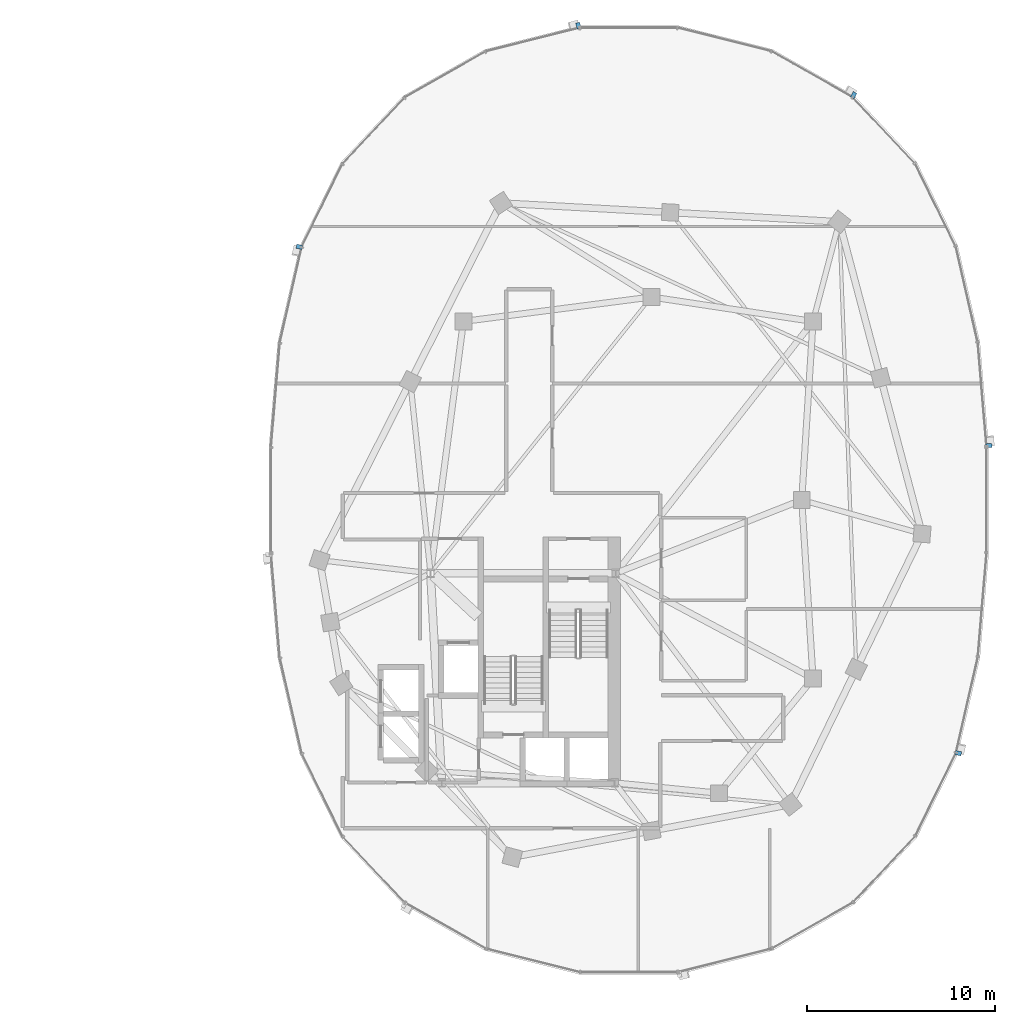
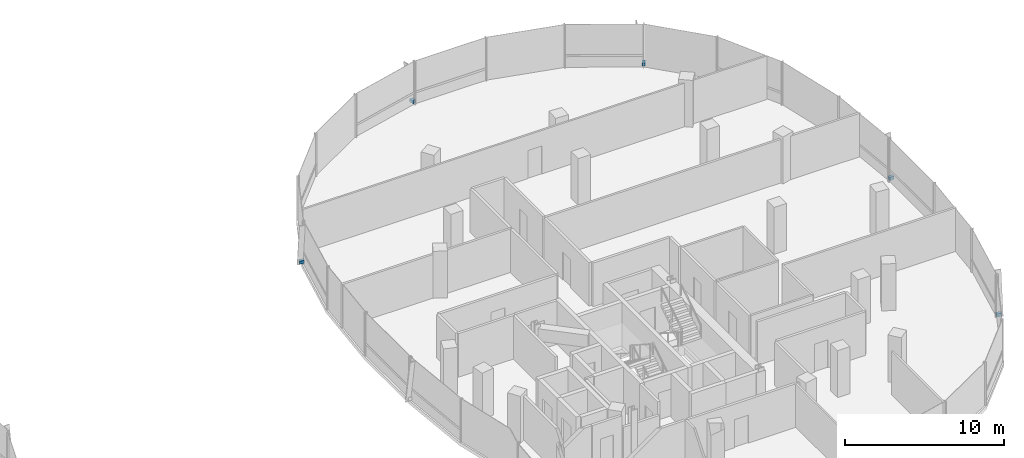
# One storey, part 20 of 25: 5 discrete accessories.
"""IFC4 building model written with IfcOpenShell, lengths in metres."""

from ifc_helpers import new_model, si_unit, direction, frame, origin, origin_2d, place, context, subcontext, project, spatial, rectangle, extrude, material, type_object, element, save


model = new_model("IFC4")

# Units and contexts
model_context = context("Model", 3, precision=1e-05, world=origin(), true_north=direction((0.0, 1.0)))
body_context = subcontext(model_context, "Body", "Model", "MODEL_VIEW")
ifc_project = project(units=[si_unit("LENGTHUNIT", "METRE"), si_unit("AREAUNIT", "SQUARE_METRE"), si_unit("VOLUMEUNIT", "CUBIC_METRE"), si_unit("PLANEANGLEUNIT", "RADIAN"), si_unit("MASSUNIT", "GRAM", prefix="KILO"), si_unit("THERMODYNAMICTEMPERATUREUNIT", "KELVIN"), si_unit("POWERUNIT", "WATT")], contexts=[model_context])

# Site, building, storey
site_placement = place(None, origin())
site = spatial("IfcSite", under=ifc_project, at=site_placement, CompositionType="ELEMENT")
building_placement = place(site_placement, origin())
building = spatial("IfcBuilding", under=site, at=building_placement, Name="Cundina Bronze Exchange", CompositionType="ELEMENT")
storey_placement = place(building_placement, frame((0.0, 0.0, 220.60009765625)))
storey = spatial("IfcBuildingStorey", under=building, at=storey_placement, Name="L58", CompositionType="ELEMENT", Elevation=220.60009765625)

# Discrete accessories
ifc_material = material(Name="Anodised Bronze Aluminium 6063-T6", Category="aluminium")
discrete_accessory_type = type_object("IfcDiscreteAccessoryType", Name="ACC-BRK-FIN", PredefinedType="BRACKET", material=ifc_material)
for number, where, z_axis, x_axis, name in (
    (1, (51.15478515625, 2.893798828125, 0.10009765625), (0.0, 0.0, 1.0), (-0.083747411454, 0.996487015006, 0.0), "L58 Fin Support Bracket 1"),
    (2, (43.961181640625, 21.539794921875, 0.10009765625), (0.0, 0.0, 1.0), (-0.869572506985, 0.493805280547, 0.0), "L58 Fin Support Bracket 5"),
    (3, (29.321044921875, 25.23779296875, 0.10009765625), (0.0, 0.0, 1.0), (-0.969731542251, -0.244173577528, 0.0), "L58 Fin Support Bracket 1"),
    (4, (14.470458984375, 13.468505859375, 0.10009765625), (0.0, 0.0, 1.0), (-0.223284141459, -0.974753400698, 0.0), "L58 Fin Support Bracket 5"),
    (5, (49.529541015625, -13.468505859375, 0.10009765625), (0.0, 0.0, 1.0), (0.223284141459, 0.974753400698, 0.0), "L58 Fin Support Bracket 5"),
):
    element("IfcDiscreteAccessory", number, at=place(storey_placement, frame(where, z_axis=z_axis, x_axis=x_axis)), inside=storey, type_object=discrete_accessory_type, Name=name, PredefinedType="BRACKET", context=body_context, shape_type="SweptSolid", body=[
        extrude(rectangle(XDim=0.219970703125, YDim=0.320068359375, at=origin_2d()), origin(), (0.0, 0.0, 1.0), 0.239990234375),
    ])

save(model, "model.ifc")
